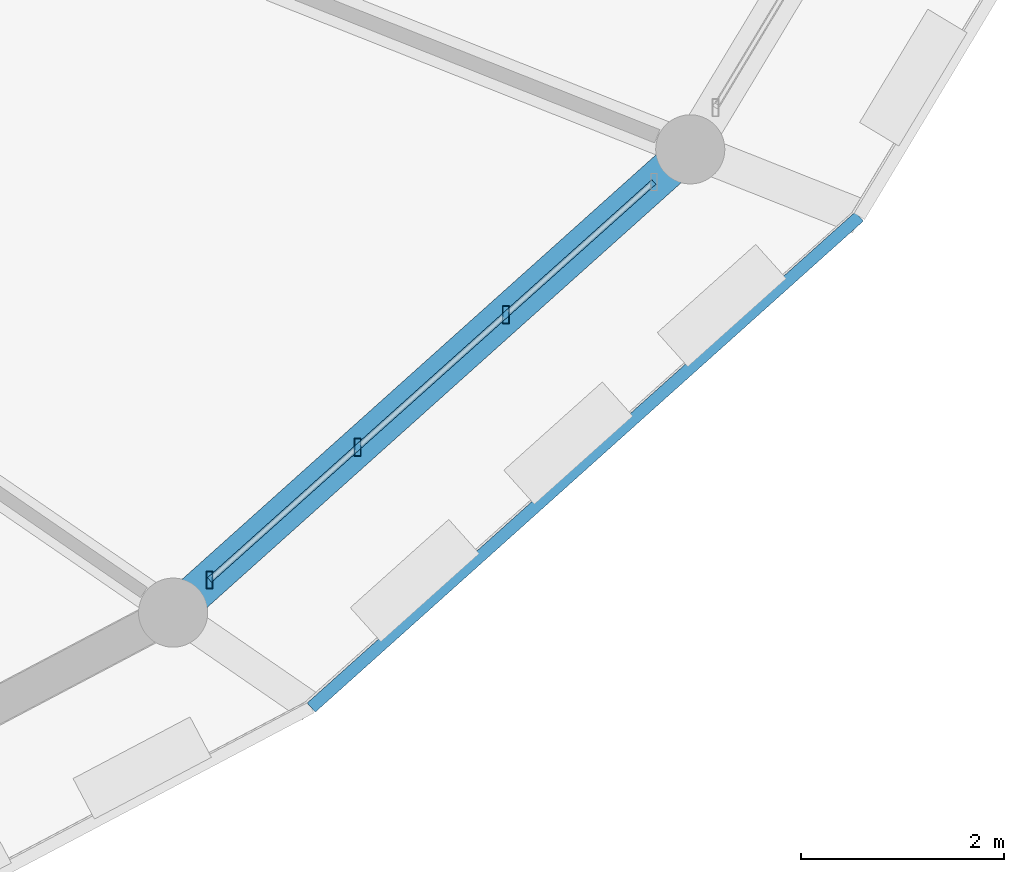
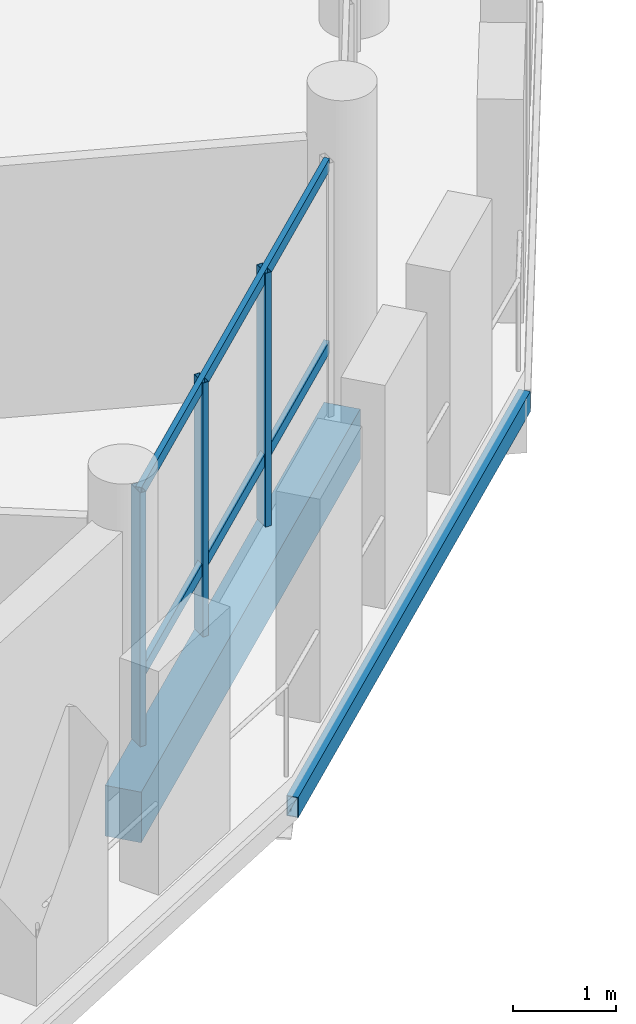
# One storey, part 52 of 128: 5 members, 2 beams, 1 element without a shape of its own.
"""IFC4 building model written with IfcOpenShell, lengths in metres."""

from ifc_helpers import new_model, si_unit, direction, frame, origin, origin_2d, place, context, subcontext, project, spatial, rectangle, hollow_rectangle, extrude, material, material_profile, profile_set, type_object, element, aggregate, save


model = new_model("IFC4")

# Units and contexts
model_context = context("Model", 3, precision=1e-05, world=origin(), true_north=direction((0.0, 1.0)))
body_context = subcontext(model_context, "Body", "Model", "MODEL_VIEW")
ifc_project = project(units=[si_unit("LENGTHUNIT", "METRE"), si_unit("AREAUNIT", "SQUARE_METRE"), si_unit("VOLUMEUNIT", "CUBIC_METRE"), si_unit("PLANEANGLEUNIT", "RADIAN"), si_unit("MASSUNIT", "GRAM", prefix="KILO")], contexts=[model_context])

# Site, building, storey
site_placement = place(None, origin())
site = spatial("IfcSite", under=ifc_project, at=site_placement, CompositionType="ELEMENT")
building_placement = place(site_placement, origin())
building = spatial("IfcBuilding", under=site, at=building_placement, Name="Zornivar Specialist Clinic", CompositionType="ELEMENT")
storey_placement = place(building_placement, frame((0.0, 0.0, 4.5)))
storey = spatial("IfcBuildingStorey", under=building, at=storey_placement, Name="L01", CompositionType="ELEMENT", Elevation=4.5)

# Beams
ifc_material_1 = material(Name="Concrete C30/37", Category="concrete")
ifc_material_profile_1 = material_profile(ifc_material_1, rectangle(XDim=0.3701171875, YDim=0.60009765625, at=origin_2d()), Name="RC 370x600")
ifc_profile_set_1 = profile_set([ifc_material_profile_1], Name="Concrete C30/37")
beam_type_1 = type_object("IfcBeamType", Name="BM-RC-SPANDREL-370x600", PredefinedType="SPANDREL", material=ifc_profile_set_1)
beam_1_placement = place(storey_placement, frame((116.22705078125, 42.0439453125, -0.5400390625), z_axis=(0.744835335723, 0.667248321585, 0.0), x_axis=(-0.667248321585, 0.744835335723, 0.0)))
element("IfcBeam", 1, at=beam_1_placement, inside=storey, type_object=beam_type_1, Name="bm:V1:L01:outring:21", PredefinedType="SPANDREL", context=body_context, shape_type="SweptSolid", body=[
    extrude(rectangle(XDim=0.3701171875, YDim=0.60009765625, at=origin_2d()), origin(), (0.0, 0.0, 1.0), 6.828369140625),
])
ifc_material_2 = material(Name="Steel S355J2", Category="steel")
ifc_material_profile_2 = material_profile(ifc_material_2, hollow_rectangle(XDim=0.1201171875, YDim=0.239990234375, WallThickness=0.008056640625, at=origin_2d()), Name="RHS 240x120x8")
ifc_profile_set_2 = profile_set([ifc_material_profile_2], Name="Steel S355J2")
beam_type_2 = type_object("IfcBeamType", Name="BM-STL-RHS240", PredefinedType="JOIST", material=ifc_profile_set_2)
beam_2_placement = place(storey_placement, frame((117.5849609375, 41.110107421875, -0.360107421875), z_axis=(0.744815079805, 0.667270932152, 0.0), x_axis=(-0.667270932152, 0.744815079805, 0.0)))
element("IfcBeam", 2, at=beam_2_placement, inside=storey, type_object=beam_type_2, Name="bm:V1:L01:balring:21", PredefinedType="JOIST", context=body_context, shape_type="SweptSolid", body=[
    extrude(hollow_rectangle(XDim=0.1201171875, YDim=0.239990234375, WallThickness=0.008056640625, at=origin_2d()), origin(), (0.0, 0.0, 1.0), 7.23828125),
])

# Curtain wall, members
ifc_material_3 = material(Name="Aluminium and Low-E Glass Curtain Wall", Category="aluminium")
curtain_wall_type = type_object("IfcCurtainWallType", Name="CW-DRUM-FACET", PredefinedType="NOTDEFINED", material=ifc_material_3)
curtain_wall_placement = place(storey_placement, origin())
curtain_wall = element("IfcCurtainWall", 3, at=curtain_wall_placement, inside=storey, type_object=curtain_wall_type, Name="cw:V1:L01:c21", PredefinedType="NOTDEFINED")
ifc_material_4 = material(Name="Aluminium AW-6060", Category="aluminium")
ifc_material_profile_3 = material_profile(ifc_material_4, hollow_rectangle(XDim=0.06494140625, YDim=0.175048828125, WallThickness=0.00439453125, at=origin_2d()), Name="ALU 65x175x4.5")
ifc_profile_set_3 = profile_set([ifc_material_profile_3], Name="Aluminium AW-6060")
member_type_1 = type_object("IfcMemberType", Name="CWM-MUL-175", PredefinedType="MULLION", material=ifc_profile_set_3)
member_1_placement = place(storey_placement, frame((116.5849609375, 42.364990234375, 0.0), z_axis=(0.0, 0.0, 1.0), x_axis=(1.0, 0.0, 0.0)))
member_1 = element("IfcMember", 4, at=member_1_placement, type_object=member_type_1, Name="cw:V1:L01:c21:mul:0", PredefinedType="MULLION", context=body_context, shape_type="SweptSolid", body=[
    extrude(hollow_rectangle(XDim=0.06494140625, YDim=0.175048828125, WallThickness=0.00439453125, at=origin_2d()), origin(), (0.0, 0.0, 1.0), 3.010009765625),
])
member_2_placement = place(storey_placement, frame((118.0419921875, 43.669921875, 0.0), z_axis=(0.0, 0.0, 1.0), x_axis=(1.0, 0.0, 0.0)))
member_2 = element("IfcMember", 5, at=member_2_placement, type_object=member_type_1, Name="cw:V1:L01:c21:mul:1", PredefinedType="MULLION", context=body_context, shape_type="SweptSolid", body=[
    extrude(hollow_rectangle(XDim=0.06494140625, YDim=0.175048828125, WallThickness=0.00439453125, at=origin_2d()), origin(), (0.0, 0.0, 1.0), 3.010009765625),
])
member_3_placement = place(storey_placement, frame((119.4990234375, 44.97509765625, 0.0), z_axis=(0.0, 0.0, 1.0), x_axis=(1.0, 0.0, 0.0)))
member_3 = element("IfcMember", 6, at=member_3_placement, type_object=member_type_1, Name="cw:V1:L01:c21:mul:2", PredefinedType="MULLION", context=body_context, shape_type="SweptSolid", body=[
    extrude(hollow_rectangle(XDim=0.06494140625, YDim=0.175048828125, WallThickness=0.00439453125, at=origin_2d()), origin(), (0.0, 0.0, 1.0), 3.010009765625),
])
ifc_material_5 = material(Name="Aluminium AW-6060", Category="aluminium")
ifc_material_profile_4 = material_profile(ifc_material_5, hollow_rectangle(XDim=0.06005859375, YDim=0.14501953125, WallThickness=0.00390625, at=origin_2d()), Name="ALU 60x145x4")
ifc_profile_set_4 = profile_set([ifc_material_profile_4], Name="Aluminium AW-6060")
member_type_2 = type_object("IfcMemberType", Name="CWM-TRN-145", PredefinedType="USERDEFINED", material=ifc_profile_set_4)
member_4_placement = place(storey_placement, frame((116.5849609375, 42.364990234375, 0.782958984375), z_axis=(0.744905995643, 0.667169436991, 0.0), x_axis=(-0.667169436991, 0.744905995643, 0.0)))
member_4 = element("IfcMember", 7, at=member_4_placement, type_object=member_type_2, Name="cw:V1:L01:c21:trn:0", ObjectType="TRANSOM", PredefinedType="USERDEFINED", context=body_context, shape_type="SweptSolid", body=[
    extrude(hollow_rectangle(XDim=0.06005859375, YDim=0.14501953125, WallThickness=0.00390625, at=origin_2d()), origin(), (0.0, 0.0, 1.0), 5.86669921875),
])
member_5_placement = place(storey_placement, frame((116.5849609375, 42.364990234375, 2.945068359375), z_axis=(0.744905995643, 0.667169436991, 0.0), x_axis=(-0.667169436991, 0.744905995643, 0.0)))
member_5 = element("IfcMember", 8, at=member_5_placement, type_object=member_type_2, Name="cw:V1:L01:c21:trn:1", ObjectType="TRANSOM", PredefinedType="USERDEFINED", context=body_context, shape_type="SweptSolid", body=[
    extrude(hollow_rectangle(XDim=0.06005859375, YDim=0.14501953125, WallThickness=0.00390625, at=origin_2d()), origin(), (0.0, 0.0, 1.0), 5.86669921875),
])
aggregate(curtain_wall, [member_1, member_2, member_3, member_4, member_5])

save(model, "model.ifc")
